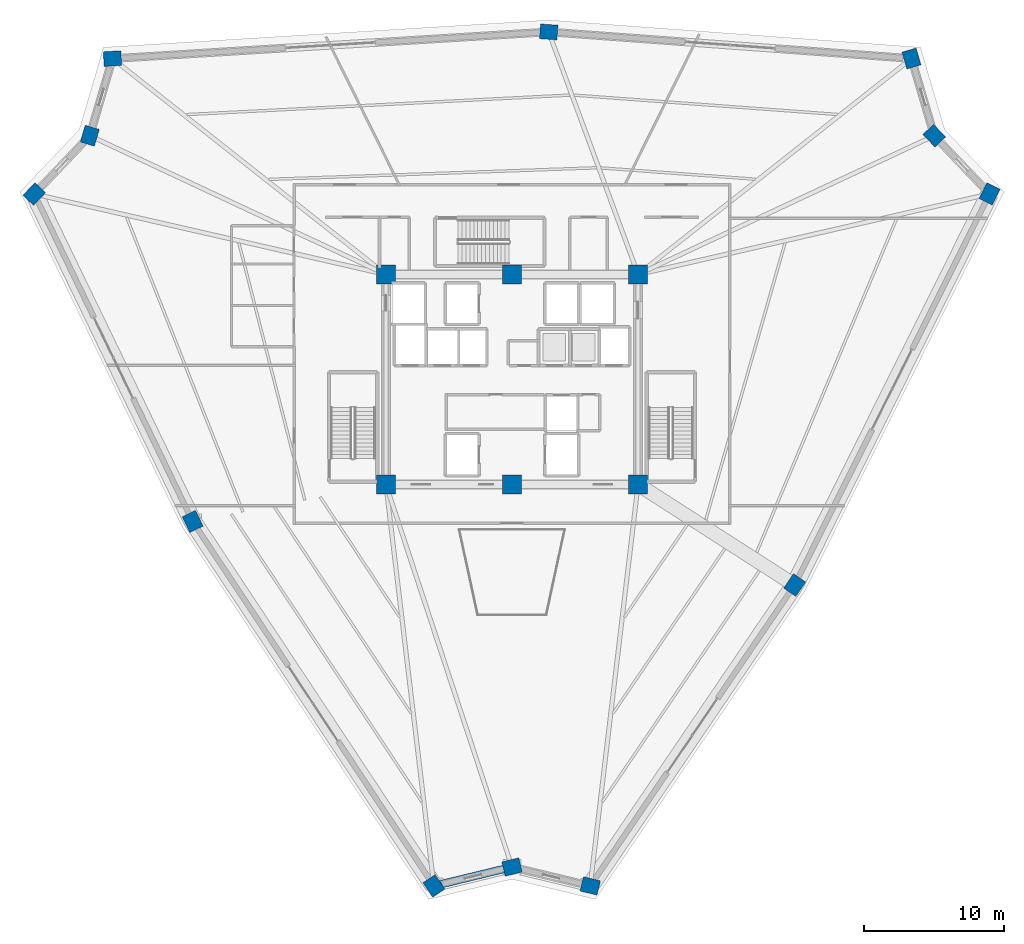
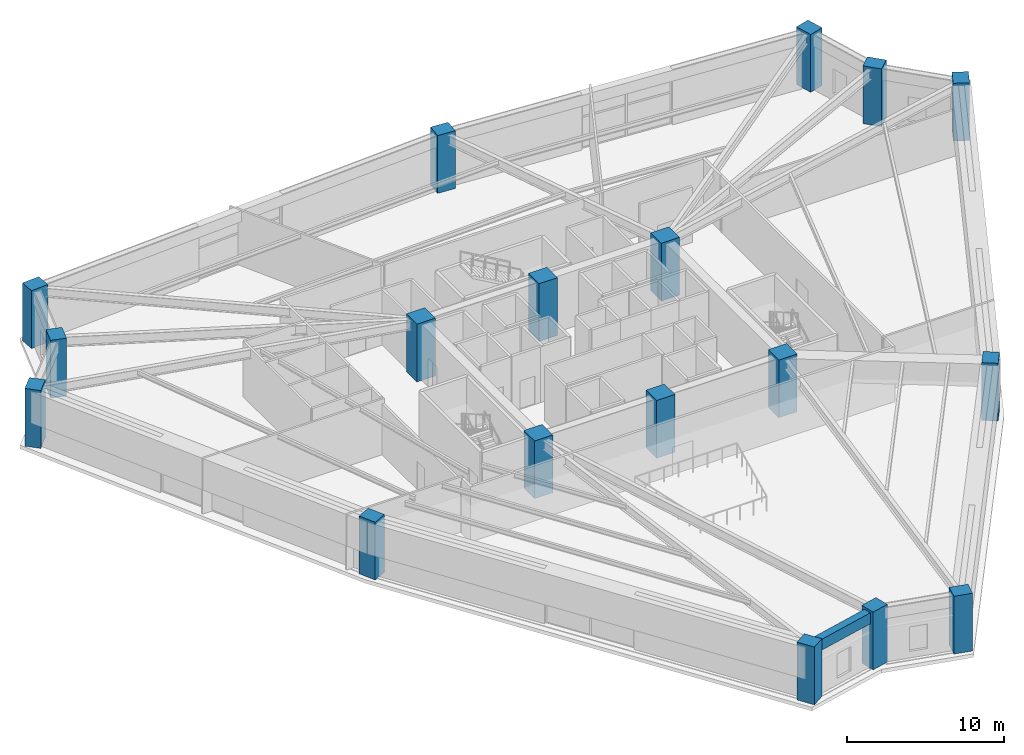
# One storey, part 1 of 39: 18 columns, 1 beam.
"""IFC4 building model written with IfcOpenShell, lengths in metres."""

from ifc_helpers import new_model, si_unit, direction, frame, origin, origin_2d, place, context, subcontext, project, spatial, rectangle, extrude, source, transform, mapped, material, material_profile, profile_set, type_object, element, save


model = new_model("IFC4")

# Units and contexts
model_context = context("Model", 3, precision=1e-05, world=origin(), true_north=direction((0.0, 1.0)))
body_context = subcontext(model_context, "Body", "Model", "MODEL_VIEW")
ifc_project = project(units=[si_unit("LENGTHUNIT", "METRE"), si_unit("AREAUNIT", "SQUARE_METRE"), si_unit("VOLUMEUNIT", "CUBIC_METRE"), si_unit("PLANEANGLEUNIT", "RADIAN"), si_unit("MASSUNIT", "GRAM", prefix="KILO")], contexts=[model_context])

# Site, building, storey
site_placement = place(None, origin())
site = spatial("IfcSite", under=ifc_project, at=site_placement, CompositionType="ELEMENT")
building_placement = place(site_placement, origin())
building = spatial("IfcBuilding", under=site, at=building_placement, Name="Liaohun Quay Tower", CompositionType="ELEMENT")
storey_placement = place(building_placement, frame((0.0, 0.0, 189.75)))
storey = spatial("IfcBuildingStorey", under=building, at=storey_placement, Name="L49", CompositionType="ELEMENT", Elevation=189.75)

# Columns
ifc_material_1 = material(Name="Concrete C55", Category="concrete")
ifc_material_profile_1 = material_profile(ifc_material_1, rectangle(XDim=1.35009765625, YDim=1.35009765625, at=origin_2d()), Name="RC1350x1350")
ifc_profile_set_1 = profile_set([ifc_material_profile_1], Name="Concrete C55")
column_type_1 = type_object("IfcColumnType", Name="COL-CC-Z3", PredefinedType="COLUMN", material=ifc_profile_set_1)
shared_shape_1 = source(origin(), body_context, "Body", "SweptSolid", [
    extrude(rectangle(XDim=1.35009765625, YDim=1.35009765625, at=origin_2d()), origin(), (0.0, 0.0, 1.0), 4.5),
])
for number, where, z_axis, x_axis, name in (
    (1, (51.0, 46.5, 0.0), (0.0, 0.0, 1.0), (1.0, 0.0, 0.0), "L49 Core Column CC1"),
    (2, (60.0, 46.5, 0.0), (0.0, 0.0, 1.0), (1.0, 0.0, 0.0), "L49 Core Column CC2"),
    (3, (69.0, 46.5, 0.0), (0.0, 0.0, 1.0), (1.0, 0.0, 0.0), "L49 Core Column CC3"),
    (4, (69.0, 61.5, 0.0), (0.0, 0.0, 1.0), (1.0, 0.0, 0.0), "L49 Core Column CC4"),
    (5, (60.0, 61.5, 0.0), (0.0, 0.0, 1.0), (1.0, 0.0, 0.0), "L49 Core Column CC5"),
    (6, (51.0, 61.5, 0.0), (0.0, 0.0, 1.0), (1.0, 0.0, 0.0), "L49 Core Column CC6"),
):
    element("IfcColumn", number, at=place(storey_placement, frame(where, z_axis=z_axis, x_axis=x_axis)), inside=storey, type_object=column_type_1, Name=name, PredefinedType="COLUMN", context=body_context, shape_type="MappedRepresentation", body=[
        mapped(shared_shape_1, transform((0.0, 0.0, 0.0), x_axis=(1.0, 0.0, 0.0), y_axis=(0.0, 1.0, 0.0), z_axis=(0.0, 0.0, 1.0), scale=1.0)),
    ])
ifc_material_profile_2 = material_profile(ifc_material_1, rectangle(XDim=1.25, YDim=1.050048828125, at=origin_2d()), Name="RC1250x1050")
ifc_profile_set_2 = profile_set([ifc_material_profile_2], Name="Concrete C55")
column_type_2 = type_object("IfcColumnType", Name="COL-PIER-Z3", PredefinedType="COLUMN", material=ifc_profile_set_2)
shared_shape_2 = source(origin(), body_context, "Body", "SweptSolid", [
    extrude(rectangle(XDim=1.25, YDim=1.050048828125, at=origin_2d()), origin(), (0.0, 0.0, 1.0), 4.5),
])
for number, where, z_axis, x_axis, name in (
    (7, (54.423095703125, 17.846923828125, 0.0), (0.0, 0.0, 1.0), (-0.551936985312, 0.833885822067, 0.0), "L49 Perimeter Pier PC01"),
    (8, (37.201904296875, 43.864013671875, 0.0), (0.0, 0.0, 1.0), (-0.435388228011, 0.900242795533, 0.0), "L49 Perimeter Pier PC02"),
    (9, (25.89599609375, 67.240966796875, 0.0), (0.0, 0.0, 1.0), (0.689493141399, 0.724292211723, 0.0), "L49 Perimeter Pier PC03"),
    (10, (29.85693359375, 71.403076171875, 0.0), (0.0, 0.0, 1.0), (0.282676303383, 0.959215360337, 0.0), "L49 Perimeter Pier PC04"),
    (11, (31.47900390625, 76.906005859375, 0.0), (0.0, 0.0, 1.0), (0.998134798422, 0.061048539535, 0.0), "L49 Perimeter Pier PC05"),
    (12, (62.6201171875, 78.81201171875, 0.0), (0.0, 0.0, 1.0), (-0.997327244511, 0.0730641318, 0.0), "L49 Perimeter Pier PC06"),
    (13, (88.51904296875, 76.9130859375, 0.0), (0.0, 0.0, 1.0), (-0.282676303383, 0.959215360337, 0.0), "L49 Perimeter Pier PC07"),
    (14, (90.14306640625, 71.403076171875, 0.0), (0.0, 0.0, 1.0), (-0.689493141399, 0.724292211723, 0.0), "L49 Perimeter Pier PC08"),
    (15, (94.097900390625, 67.2470703125, 0.0), (0.0, 0.0, 1.0), (0.44619781311, 0.894934361602, 0.0), "L49 Perimeter Pier PC09"),
    (16, (80.177978515625, 39.324951171875, 0.0), (0.0, 0.0, 1.0), (0.5619390165, 0.827178663733, 0.0), "L49 Perimeter Pier PC10"),
    (17, (65.5849609375, 17.844970703125, 0.0), (0.0, 0.0, 1.0), (-0.972043021443, 0.234802820391, 0.0), "L49 Perimeter Pier PC11"),
    (18, (60.0, 19.194091796875, 0.0), (0.0, 0.0, 1.0), (0.972043021443, 0.234802820391, 0.0), "L49 Perimeter Pier PC12"),
):
    element("IfcColumn", number, at=place(storey_placement, frame(where, z_axis=z_axis, x_axis=x_axis)), inside=storey, type_object=column_type_2, Name=name, PredefinedType="COLUMN", context=body_context, shape_type="MappedRepresentation", body=[
        mapped(shared_shape_2, transform((0.0, 0.0, 0.0), x_axis=(1.0, 0.0, 0.0), y_axis=(0.0, 1.0, 0.0), z_axis=(0.0, 0.0, 1.0), scale=1.0)),
    ])

# Beam
ifc_material_2 = material(Name="Precast concrete C50", Category="concrete")
ifc_material_profile_3 = material_profile(ifc_material_2, rectangle(XDim=0.550048828125, YDim=0.85009765625, at=origin_2d()), Name="RC550x850")
ifc_profile_set_3 = profile_set([ifc_material_profile_3], Name="Precast concrete C50")
beam_type = type_object("IfcBeamType", Name="BM-SPD-Z3", PredefinedType="SPANDREL", material=ifc_profile_set_3)
shared_shape_3 = source(origin(), body_context, "Body", "SweptSolid", [
    extrude(rectangle(XDim=0.550048828125, YDim=0.85009765625, at=origin_2d()), origin(), (0.0, 0.0, 1.0), 5.7373046875),
])
beam_placement = place(storey_placement, frame((60.0, 19.194091796875, 3.89501953125), z_axis=(-0.97204169688, -0.234808303786, 0.0), x_axis=(0.234808303786, -0.97204169688, 0.0)))
element("IfcBeam", 19, at=beam_placement, inside=storey, type_object=beam_type, Name="L49 Precast Spandrel Beam PC12-PC01", PredefinedType="SPANDREL", context=body_context, shape_type="MappedRepresentation", body=[
    mapped(shared_shape_3, transform((0.0, 0.0, 0.0), x_axis=(1.0, 0.0, 0.0), y_axis=(0.0, 1.0, 0.0), z_axis=(0.0, 0.0, 1.0), scale=1.0)),
])

save(model, "model.ifc")
